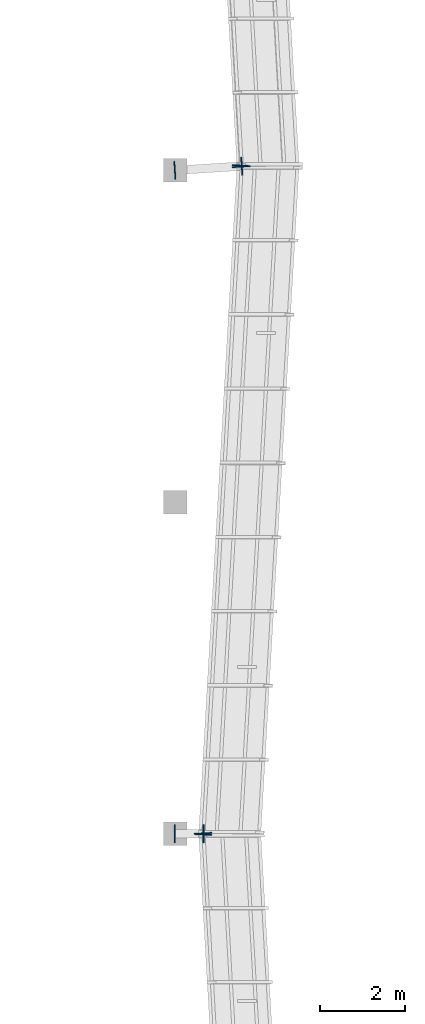
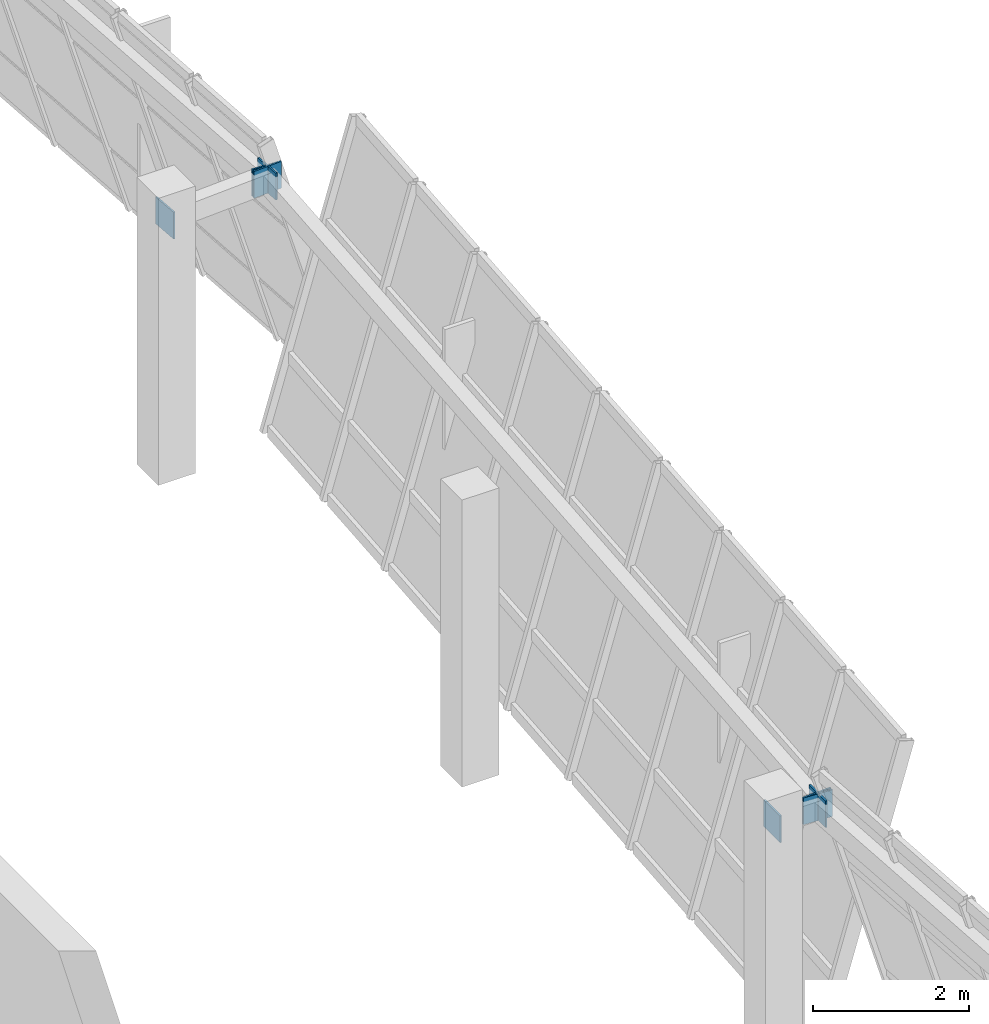
# One storey, part 51 of 67: 8 plates.
"""IFC4 building model written with IfcOpenShell, lengths in metres."""

import ifcopenshell
import ifcopenshell.guid

model = None  # the IFC model being written
_history = None  # IfcOwnerHistory: only IFC2X3 demands one
_inside = {}  # id of a spatial element -> (the spatial element, [elements in it])
_under = {}  # id of a project, library or spatial element -> (it, [spatial elements below it])
_declared = {}  # id of a project -> (the project, [libraries it declares])
_typed = {}  # id of a type object -> (the type object, [elements of that type])
_made_of = {}  # id of a material, layer set ... -> (it, [elements and type objects made of it])


def new_model(schema):
    """Start an empty IFC model of exactly this schema.

    Asked for "IFC4X3", IfcOpenShell would pick the latest addendum, in which some entities
    have other attributes; the version numbers below select the first issue.
    IFC2X3 requires an IfcOwnerHistory on every rooted entity: one is made here for all.
    """
    global model, _history
    if schema == "IFC4X3":
        model = ifcopenshell.file(schema_version=(4, 3, 0, 0))
    else:
        model = ifcopenshell.file(schema=schema)
    _inside.clear()
    _under.clear()
    _declared.clear()
    _typed.clear()
    _made_of.clear()
    _history = None
    if model.schema == "IFC2X3":
        org = make("IfcOrganization", Name="unknown")
        user = make(
            "IfcPersonAndOrganization",
            ThePerson=make("IfcPerson", FamilyName="unknown"),
            TheOrganization=org,
        )
        app = make(
            "IfcApplication",
            ApplicationDeveloper=org,
            Version="unknown",
            ApplicationFullName="unknown",
            ApplicationIdentifier="unknown",
        )
        _history = make(
            "IfcOwnerHistory",
            OwningUser=user,
            OwningApplication=app,
            ChangeAction="ADDED",
            CreationDate=0,
        )
    return model


def make(cls, **values):
    """One entity of the class cls with the attributes given. An attribute that is None is left unset."""
    return model.create_entity(
        cls, **{name: value for name, value in values.items() if value is not None}
    )


def rooted(cls, **values):
    """An entity with a GlobalId (a new one), such as an element, a storey or a relation."""
    return make(cls, GlobalId=ifcopenshell.guid.new(), OwnerHistory=_history, **values)


def si_unit(unit_type, name, prefix=None):
    """IfcSIUnit, for example si_unit("LENGTHUNIT", "METRE", prefix="MILLI")."""
    return make("IfcSIUnit", UnitType=unit_type, Prefix=prefix, Name=name)


def assignment(units):
    """IfcUnitAssignment: the units of a project."""
    return None if units is None else make("IfcUnitAssignment", Units=units)


def point(xyz):
    """IfcCartesianPoint."""
    return None if xyz is None else make("IfcCartesianPoint", Coordinates=xyz)


def direction(xyz):
    """IfcDirection."""
    return None if xyz is None else make("IfcDirection", DirectionRatios=xyz)


def frame(location, z_axis=None, x_axis=None):
    """IfcAxis2Placement3D, a coordinate frame: its origin and axes. An axis left out is left unset."""
    return make(
        "IfcAxis2Placement3D",
        Location=point(location),
        Axis=direction(z_axis),
        RefDirection=direction(x_axis),
    )


def frame_2d(location, x_axis=None):
    """IfcAxis2Placement2D, a coordinate frame in the plane: its origin and x axis."""
    return make(
        "IfcAxis2Placement2D", Location=point(location), RefDirection=direction(x_axis)
    )


def origin():
    """The frame at (0, 0, 0) with its axes left unset."""
    return frame((0.0, 0.0, 0.0))


def origin_2d():
    """The frame at (0, 0) in the plane with its x axis left unset."""
    return frame_2d((0.0, 0.0))


def place(relative_to, where):
    """IfcLocalPlacement: puts the frame where relative to a parent placement (None: the world)."""
    return make(
        "IfcLocalPlacement", PlacementRelTo=relative_to, RelativePlacement=where
    )


def context(
    kind, dimensions, precision=None, world=None, true_north=None, identifier=None
):
    """IfcGeometricRepresentationContext, for example the 3D "Model" context."""
    return make(
        "IfcGeometricRepresentationContext",
        ContextIdentifier=identifier,
        ContextType=kind,
        CoordinateSpaceDimension=dimensions,
        Precision=precision,
        WorldCoordinateSystem=world,
        TrueNorth=true_north,
    )


def subcontext(parent, identifier, kind, view, scale=None):
    """IfcGeometricRepresentationSubContext, for example "Body" below "Model"."""
    return make(
        "IfcGeometricRepresentationSubContext",
        ContextIdentifier=identifier,
        ContextType=kind,
        ParentContext=parent,
        TargetScale=scale,
        TargetView=view,
    )


def project(units=None, contexts=None):
    """IfcProject with its units and contexts."""
    return rooted(
        "IfcProject",
        Name="project",
        RepresentationContexts=contexts,
        UnitsInContext=assignment(units),
    )


def spatial(cls, under=None, at=None, **own):
    """A site, building, storey or space (cls), placed at a placement, below another one or the project."""
    s = rooted(cls, ObjectPlacement=at, **own)
    if under is not None:
        _under.setdefault(under.id(), (under, []))[1].append(s)
    return s


def profile(cls, at=None, kind="AREA", **sizes):
    """A parametric profile (cls). Its sizes go by their IFC names, for example OverallWidth=200.0."""
    return make(cls, ProfileType=kind, Position=at, **sizes)


def rectangle(**sizes):
    """IfcRectangleProfileDef."""
    return profile("IfcRectangleProfileDef", **sizes)


def extrude(swept, where, along, depth):
    """IfcExtrudedAreaSolid: the profile swept, set in the frame where, extruded along a direction by depth."""
    return make(
        "IfcExtrudedAreaSolid",
        SweptArea=swept,
        Position=where,
        ExtrudedDirection=direction(along),
        Depth=depth,
    )


def shape(context_of_items, identifier, shape_type, items):
    """IfcShapeRepresentation: the items that make up one representation, for example the "Body"."""
    return make(
        "IfcShapeRepresentation",
        ContextOfItems=context_of_items,
        RepresentationIdentifier=identifier,
        RepresentationType=shape_type,
        Items=items,
    )


def material(Name=None, Category=None):
    """IfcMaterial."""
    return make("IfcMaterial", Name=Name, Category=Category)


def layer(
    of_material, thickness, ventilated=None, Name=None, Category=None, Priority=None
):
    """IfcMaterialLayer: one layer of a wall or slab, of a material (None: an air gap)."""
    return make(
        "IfcMaterialLayer",
        Material=of_material,
        LayerThickness=thickness,
        IsVentilated=ventilated,
        Name=Name,
        Category=Category,
        Priority=Priority,
    )


def layer_set(layers, Name=None):
    """IfcMaterialLayerSet."""
    return make("IfcMaterialLayerSet", MaterialLayers=layers, LayerSetName=Name)


def made_of(thing, what):
    """Note that an element or type object is made of a material, layer set ...; save() writes the relation."""
    if what is not None:
        _made_of.setdefault(what.id(), (what, []))[1].append(thing)
    return thing


def type_object(cls, material=None, **own):
    """A type object (cls), such as IfcWallType, which elements share."""
    return made_of(rooted(cls, **own), material)


def element(
    cls,
    number,
    at=None,
    inside=None,
    cuts=None,
    type_object=None,
    material=None,
    context=None,
    identifier="Body",
    shape_type=None,
    held_by="IfcProductDefinitionShape",
    body=None,
    shapes=None,
    **own,
):
    """One element of the class cls, such as IfcWall. Its Tag is "e" and its number.

    at: its placement. inside: the storey or other place that contains it. cuts: it is an
    opening in that element (IfcRelVoidsElement). A single representation is given by context,
    identifier, shape_type and body (its items); several are given by shapes. held_by: the class
    of the entity that holds the representations. save() writes the other relations.
    """
    e = rooted(cls, Tag="e%d" % number, ObjectPlacement=at, **own)
    if body is not None:
        shapes = [shape(context, identifier, shape_type, body)]
    if shapes is not None:
        e.Representation = make(held_by, Representations=shapes)
    if inside is not None:
        _inside.setdefault(inside.id(), (inside, []))[1].append(e)
    if cuts is not None:
        rooted(
            "IfcRelVoidsElement", RelatingBuildingElement=cuts, RelatedOpeningElement=e
        )
    if type_object is not None:
        _typed.setdefault(type_object.id(), (type_object, []))[1].append(e)
    return made_of(e, material)


def aggregate(whole, parts):
    """IfcRelAggregates: a whole, such as a stair, and the parts it consists of."""
    return rooted("IfcRelAggregates", RelatingObject=whole, RelatedObjects=parts)


def save(model, path):
    """Write the relations noted so far, then the file.

    IfcRelAggregates (storeys below a building ...), IfcRelContainedInSpatialStructure (elements
    in a storey), IfcRelDefinesByType, IfcRelAssociatesMaterial and IfcRelDeclares: one each for
    every whole, place, type object, material and project.
    """
    for whole, parts in _under.values():
        aggregate(whole, parts)
    for where, things in _inside.values():
        rooted(
            "IfcRelContainedInSpatialStructure",
            RelatedElements=things,
            RelatingStructure=where,
        )
    for kind, things in _typed.values():
        rooted("IfcRelDefinesByType", RelatedObjects=things, RelatingType=kind)
    for what, things in _made_of.values():
        rooted("IfcRelAssociatesMaterial", RelatedObjects=things, RelatingMaterial=what)
    for by, libraries in _declared.values():
        rooted("IfcRelDeclares", RelatingContext=by, RelatedDefinitions=libraries)
    model.write(path)


model = new_model("IFC4")

# Units and contexts
model_context = context("Model", 3, precision=1e-05, world=origin(), true_north=direction((0.0, 1.0)))
body_context = subcontext(model_context, "Body", "Model", "MODEL_VIEW")
ifc_project = project(units=[si_unit("LENGTHUNIT", "METRE"), si_unit("AREAUNIT", "SQUARE_METRE"), si_unit("VOLUMEUNIT", "CUBIC_METRE"), si_unit("PLANEANGLEUNIT", "RADIAN"), si_unit("MASSUNIT", "GRAM", prefix="KILO")], contexts=[model_context])

# Site, building, storey
site_placement = place(None, origin())
site = spatial("IfcSite", under=ifc_project, at=site_placement, CompositionType="ELEMENT")
building_placement = place(site_placement, origin())
building = spatial("IfcBuilding", under=site, at=building_placement, Name="Pellamere Symphony Hall", CompositionType="ELEMENT")
storey_placement = place(building_placement, frame((0.0, 0.0, 19.5)))
storey = spatial("IfcBuildingStorey", under=building, at=storey_placement, Name="L04", CompositionType="ELEMENT", Elevation=19.5)

# Plates
ifc_material = material(Name="Steel CSA G40.21 350W", Category="steel")
ifc_layer = layer(ifc_material, 0.02490234375, Name="Steel CSA G40.21 350W")
ifc_layer_set = layer_set([ifc_layer], Name="Steel CSA G40.21 350W")
plate_type = type_object("IfcPlateType", Name="Steel Connection Plate KP-01 420x420x25", PredefinedType="SHEET", material=ifc_layer_set)
for number, where, z_axis, x_axis, name in (
    (1, (119.44921875, 61.81201171875, 3.72998046875), (0.0, 0.0, 1.0), (-0.057215536424, 0.998361849427, 0.0), "Crystal Spandrel End Cap Plate CW-CR07-2 (L04)"),
    (2, (118.7880859375, 61.800048828125, 3.72998046875), (0.0, 0.0, 1.0), (1.0, 0.0, 0.0), "Outrigger End Cap Plate 025.1 (L04)"),
    (3, (119.4619140625, 61.800048828125, 3.72998046875), (0.0, 0.0, 1.0), (1.0, 0.0, 0.0), "Outrigger End Cap Plate 025.2 (L04)"),
    (4, (119.44921875, 61.7880859375, 3.72998046875), (0.0, 0.0, 1.0), (0.057215536424, 0.998361849427, 0.0), "Crystal Spandrel End Cap Plate CW-CR08-1 (L04)"),
    (5, (120.3505859375, 77.511962890625, 3.72998046875), (0.0, 0.0, 1.0), (0.057215536424, 0.998361849427, 0.0), "Crystal Spandrel End Cap Plate CW-CR08-2 (L04)"),
    (6, (118.7880859375, 77.399169921875, 3.72998046875), (0.0, 0.0, 1.0), (0.997926866086, 0.064358138139, 0.0), "Outrigger End Cap Plate 037.1 (L04)"),
    (7, (120.362060546875, 77.500732421875, 3.72998046875), (0.0, 0.0, 1.0), (0.997926866086, 0.064358138139, 0.0), "Outrigger End Cap Plate 037.2 (L04)"),
    (8, (120.3505859375, 77.488037109375, 3.72998046875), (0.0, 0.0, 1.0), (-0.05756402696, 0.998341816614, 0.0), "Crystal Spandrel End Cap Plate CW-CR09-1 (L04)"),
):
    element("IfcPlate", number, at=place(storey_placement, frame(where, z_axis=z_axis, x_axis=x_axis)), inside=storey, type_object=plate_type, Name=name, PredefinedType="SHEET", context=body_context, shape_type="SweptSolid", body=[
        extrude(rectangle(XDim=0.02490234375, YDim=0.419921875, at=origin_2d()), origin(), (0.0, 0.0, 1.0), 0.419921875),
    ])

save(model, "model.ifc")
